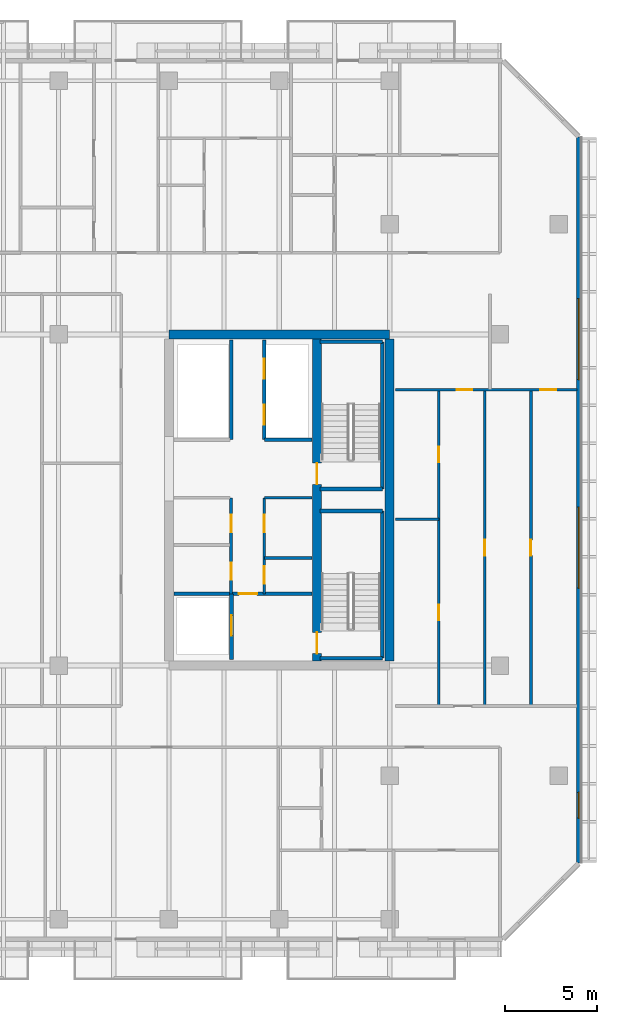
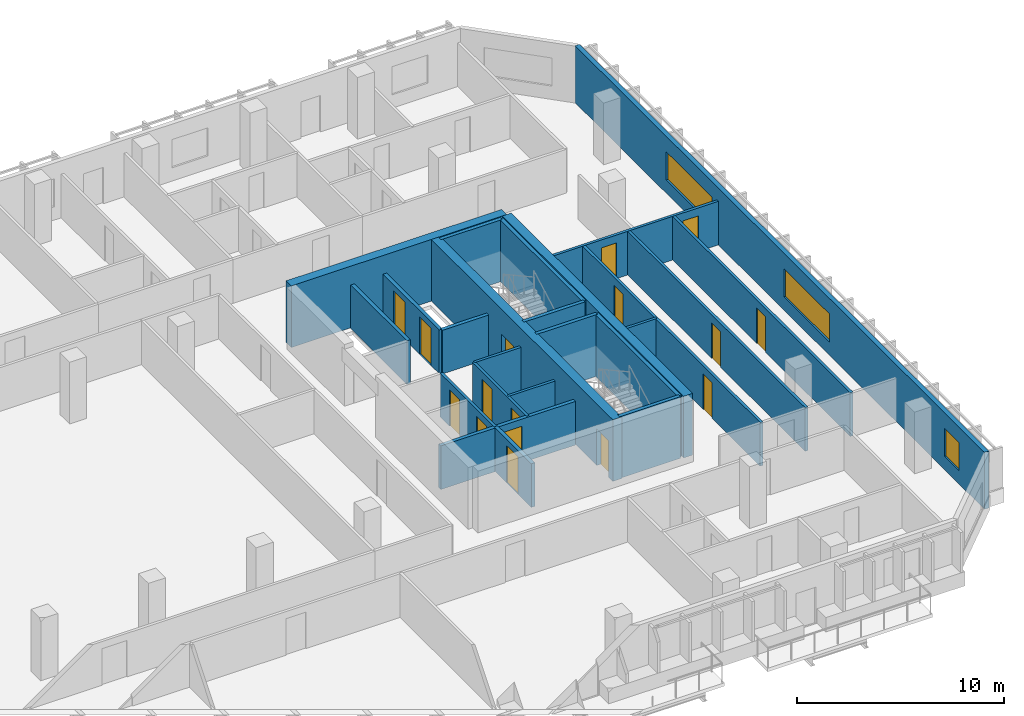
# One storey, part 15 of 23: 24 walls, 16 doors, 3 windows, 19 openings.
"""IFC4 building model written with IfcOpenShell, lengths in metres."""

from ifc_helpers import new_model, si_unit, direction, frame, frame_2d, origin, place, context, subcontext, project, spatial, rectangle, extrude, material, layer, layer_set, type_object, element, fill, save


model = new_model("IFC4")

# Units and contexts
model_context = context("Model", 3, precision=1e-05, world=origin(), true_north=direction((0.0, 1.0)))
body_context = subcontext(model_context, "Body", "Model", "MODEL_VIEW")
ifc_project = project(units=[si_unit("LENGTHUNIT", "METRE"), si_unit("AREAUNIT", "SQUARE_METRE"), si_unit("VOLUMEUNIT", "CUBIC_METRE"), si_unit("PLANEANGLEUNIT", "RADIAN"), si_unit("MASSUNIT", "GRAM", prefix="KILO")], contexts=[model_context])

# Site, building, storey
site_placement = place(None, origin())
site = spatial("IfcSite", under=ifc_project, at=site_placement, CompositionType="ELEMENT")
building_placement = place(site_placement, origin())
building = spatial("IfcBuilding", under=site, at=building_placement, Name="Tanjung Sevakor Pilgrim Tower", CompositionType="ELEMENT")
storey_placement = place(building_placement, frame((0.0, 0.0, 119.4599609375)))
storey = spatial("IfcBuildingStorey", under=building, at=storey_placement, Name="L33", CompositionType="ELEMENT", Elevation=119.4599609375)

# Walls
ifc_material_1 = material(Name="Concrete C60/75", Category="concrete")
ifc_layer_1 = layer(ifc_material_1, 0.5)
ifc_layer_set_1 = layer_set([ifc_layer_1], Name="WALL-CW-500")
wall_type_1 = type_object("IfcWallType", Name="WALL-CW-500", PredefinedType="SHEAR", material=ifc_layer_set_1)
wall_1_placement = place(storey_placement, frame((90.0, 42.60009765625, 0.0), z_axis=(0.0, 0.0, 1.0), x_axis=(-1.0, 0.0, 0.0)))
element("IfcWall", 1, at=wall_1_placement, inside=storey, type_object=wall_type_1, Name="L33 E Core North Shear Wall", PredefinedType="SHEAR", context=body_context, shape_type="SweptSolid", body=[
    extrude(rectangle(XDim=12.0, YDim=0.5, at=frame_2d((6.0, 0.0))), origin(), (0.0, 0.0, 1.0), 3.630126953125),
])
wall_2_placement = place(storey_placement, frame((90.0, 24.85009765625, 0.0), z_axis=(0.0, 0.0, 1.0), x_axis=(0.0, 1.0, 0.0)))
element("IfcWall", 2, at=wall_2_placement, inside=storey, type_object=wall_type_1, Name="L33 E Core Outer Shear Wall", PredefinedType="SHEAR", context=body_context, shape_type="SweptSolid", body=[
    extrude(rectangle(XDim=17.5, YDim=0.5, at=frame_2d((8.75, 0.0))), origin(), (0.0, 0.0, 1.0), 3.630126953125),
])

# Wall, openings, doors
wall_3_placement = place(storey_placement, frame((86.050048828125, 24.85009765625, 0.0), z_axis=(0.0, 0.0, 1.0), x_axis=(0.0, 1.0, 0.0)))
wall_3 = element("IfcWall", 3, at=wall_3_placement, inside=storey, type_object=wall_type_1, Name="L33 E Core Stair Spine Wall", PredefinedType="SHEAR", context=body_context, shape_type="SweptSolid", body=[
    extrude(rectangle(XDim=17.5, YDim=0.5, at=frame_2d((8.75, 0.0))), origin(), (0.0, 0.0, 1.0), 3.630126953125),
])
opening_1_placement = place(wall_3_placement, frame((0.39990234375, 0.0, 0.0)))
opening_1 = element("IfcOpeningElement", 4, at=opening_1_placement, cuts=wall_3, Name="Opening ID-ST1", PredefinedType="OPENING", context=body_context, shape_type="SweptSolid", body=[
    extrude(rectangle(XDim=1.14990234375, YDim=2.14990234375, at=frame_2d((0.574951171875, 1.074951171875))), frame((0.0, 0.260009765625, 0.0), z_axis=(0.0, -1.0, 0.0), x_axis=(1.0, 0.0, 0.0)), (0.0, 0.0, 1.0), 0.52001953125),
])
opening_2_placement = place(wall_3_placement, frame((9.60009765625, 0.0, 0.0)))
opening_2 = element("IfcOpeningElement", 5, at=opening_2_placement, cuts=wall_3, Name="Opening ID-ST1", PredefinedType="OPENING", context=body_context, shape_type="SweptSolid", body=[
    extrude(rectangle(XDim=1.14990234375, YDim=2.14990234375, at=frame_2d((0.574951171875, 1.074951171875))), frame((0.0, 0.260009765625, 0.0), z_axis=(0.0, -1.0, 0.0), x_axis=(1.0, 0.0, 0.0)), (0.0, 0.0, 1.0), 0.52001953125),
])
ifc_material_2 = material(Name="Fire-Rated Steel S355J2", Category="steel")
door_type_1 = type_object("IfcDoorType", Name="DT-FIRE-1150", OperationType="NOTDEFINED", PredefinedType="DOOR", material=ifc_material_2)
door_1_placement = place(opening_1_placement, origin())
door_1 = element("IfcDoor", 6, at=door_1_placement, inside=storey, type_object=door_type_1, Name="L33 TS-E1 Stair Fire Door", OperationType="SINGLE_SWING_RIGHT", OverallHeight=2.14990234375, OverallWidth=1.14990234375, PredefinedType="DOOR", context=body_context, shape_type="SweptSolid", body=[
    extrude(rectangle(XDim=1.14990234375, YDim=2.14990234375, at=frame_2d((0.574951171875, 1.074951171875))), frame((0.0, 0.02490234375, 0.0), z_axis=(0.0, -1.0, 0.0), x_axis=(1.0, 0.0, 0.0)), (0.0, 0.0, 1.0), 0.050048828125),
])
fill(opening_1, door_1)
door_2_placement = place(opening_2_placement, origin())
door_2 = element("IfcDoor", 7, at=door_2_placement, inside=storey, type_object=door_type_1, Name="L33 TS-E2 Stair Fire Door", OperationType="SINGLE_SWING_LEFT", OverallHeight=2.14990234375, OverallWidth=1.14990234375, PredefinedType="DOOR", context=body_context, shape_type="SweptSolid", body=[
    extrude(rectangle(XDim=1.14990234375, YDim=2.14990234375, at=frame_2d((0.574951171875, 1.074951171875))), frame((0.0, 0.02490234375, 0.0), z_axis=(0.0, -1.0, 0.0), x_axis=(1.0, 0.0, 0.0)), (0.0, 0.0, 1.0), 0.050048828125),
])
fill(opening_2, door_2)

# Walls
ifc_material_3 = material(Name="Concrete C40/50", Category="concrete")
ifc_layer_2 = layer(ifc_material_3, 0.14990234375)
ifc_layer_set_2 = layer_set([ifc_layer_2], Name="WT-COMP-150")
wall_type_2 = type_object("IfcWallType", Name="WT-COMP-150", PredefinedType="SOLIDWALL", material=ifc_layer_set_2)
for number, where, z_axis, x_axis, name in (
    (8, (83.199951171875, 30.449951171875, 0.0), (0.0, 0.0, 1.0), (1.0, 0.0, 0.0), "L33 Partition IW-L33-015"),
    (9, (83.199951171875, 33.719970703125, 0.0), (0.0, 0.0, 1.0), (1.0, 0.0, 0.0), "L33 Partition IW-L33-016"),
):
    element("IfcWall", number, at=place(storey_placement, frame(where, z_axis=z_axis, x_axis=x_axis)), inside=storey, type_object=wall_type_2, Name=name, PredefinedType="SOLIDWALL", context=body_context, shape_type="SweptSolid", body=[
        extrude(rectangle(XDim=2.580078125, YDim=0.14990234375, at=frame_2d((1.2900390625, 0.0))), origin(), (0.0, 0.0, 1.0), 2.570068359375),
    ])

# Wall, openings, doors
wall_4_placement = place(storey_placement, frame((83.179931640625, 28.5, 0.0), z_axis=(0.0, 0.0, 1.0), x_axis=(0.0, 1.0, 0.0)))
wall_4 = element("IfcWall", 10, at=wall_4_placement, inside=storey, type_object=wall_type_2, Name="L33 Partition IW-L33-017", PredefinedType="SOLIDWALL", context=body_context, shape_type="SweptSolid", body=[
    extrude(rectangle(XDim=5.219970703125, YDim=0.14990234375, at=frame_2d((2.60986328125, 0.0))), origin(), (0.0, 0.0, 1.0), 2.570068359375),
])
opening_3_placement = place(wall_4_placement, frame((0.550048828125, 0.0, 0.0)))
opening_3 = element("IfcOpeningElement", 11, at=opening_3_placement, cuts=wall_4, Name="Opening ID-FD2", PredefinedType="OPENING", context=body_context, shape_type="SweptSolid", body=[
    extrude(rectangle(XDim=0.949951171875, YDim=2.14990234375, at=frame_2d((0.47509765625, 1.074951171875))), frame((0.0, 0.0849609375, 0.0), z_axis=(0.0, -1.0, 0.0), x_axis=(1.0, 0.0, 0.0)), (0.0, 0.0, 1.0), 0.169921875),
])
opening_4_placement = place(wall_4_placement, frame((3.35009765625, 0.0, 0.0)))
opening_4 = element("IfcOpeningElement", 12, at=opening_4_placement, cuts=wall_4, Name="Opening ID-FD2", PredefinedType="OPENING", context=body_context, shape_type="SweptSolid", body=[
    extrude(rectangle(XDim=0.949951171875, YDim=2.14990234375, at=frame_2d((0.47509765625, 1.074951171875))), frame((0.0, 0.0849609375, 0.0), z_axis=(0.0, -1.0, 0.0), x_axis=(1.0, 0.0, 0.0)), (0.0, 0.0, 1.0), 0.169921875),
])
ifc_material_4 = material(Name="Fire-Rated Timber", Category="wood")
door_type_2 = type_object("IfcDoorType", Name="DT-FIRE-950", OperationType="NOTDEFINED", PredefinedType="DOOR", material=ifc_material_4)
door_3_placement = place(opening_3_placement, origin())
door_3 = element("IfcDoor", 13, at=door_3_placement, inside=storey, type_object=door_type_2, Name="L33 Cleaner Store Door", OperationType="SINGLE_SWING_LEFT", OverallHeight=2.14990234375, OverallWidth=0.949951171875, PredefinedType="DOOR", context=body_context, shape_type="SweptSolid", body=[
    extrude(rectangle(XDim=0.949951171875, YDim=2.14990234375, at=frame_2d((0.47509765625, 1.074951171875))), frame((0.0, 0.02490234375, 0.0), z_axis=(0.0, -1.0, 0.0), x_axis=(1.0, 0.0, 0.0)), (0.0, 0.0, 1.0), 0.050048828125),
])
fill(opening_3, door_3)
door_4_placement = place(opening_4_placement, origin())
door_4 = element("IfcDoor", 14, at=door_4_placement, inside=storey, type_object=door_type_2, Name="L33 Housekeeping Pantry Door", OperationType="SINGLE_SWING_RIGHT", OverallHeight=2.14990234375, OverallWidth=0.949951171875, PredefinedType="DOOR", context=body_context, shape_type="SweptSolid", body=[
    extrude(rectangle(XDim=0.949951171875, YDim=2.14990234375, at=frame_2d((0.47509765625, 1.074951171875))), frame((0.0, 0.02490234375, 0.0), z_axis=(0.0, -1.0, 0.0), x_axis=(1.0, 0.0, 0.0)), (0.0, 0.0, 1.0), 0.050048828125),
])
fill(opening_4, door_4)

wall_5_placement = place(storey_placement, frame((81.3798828125, 28.5, 0.0), z_axis=(0.0, 0.0, 1.0), x_axis=(0.0, 1.0, 0.0)))
wall_5 = element("IfcWall", 15, at=wall_5_placement, inside=storey, type_object=wall_type_2, Name="L33 Partition IW-L33-020", PredefinedType="SOLIDWALL", context=body_context, shape_type="SweptSolid", body=[
    extrude(rectangle(XDim=5.219970703125, YDim=0.14990234375, at=frame_2d((2.60986328125, 0.0))), origin(), (0.0, 0.0, 1.0), 2.570068359375),
])
opening_5_placement = place(wall_5_placement, frame((0.75, 0.0, 0.0)))
opening_5 = element("IfcOpeningElement", 16, at=opening_5_placement, cuts=wall_5, Name="Opening ID-FD2", PredefinedType="OPENING", context=body_context, shape_type="SweptSolid", body=[
    extrude(rectangle(XDim=0.949951171875, YDim=2.14990234375, at=frame_2d((0.47509765625, 1.074951171875))), frame((0.0, 0.0849609375, 0.0), z_axis=(0.0, -1.0, 0.0), x_axis=(1.0, 0.0, 0.0)), (0.0, 0.0, 1.0), 0.169921875),
])
opening_6_placement = place(wall_5_placement, frame((3.35009765625, 0.0, 0.0)))
opening_6 = element("IfcOpeningElement", 17, at=opening_6_placement, cuts=wall_5, Name="Opening ID-FD2", PredefinedType="OPENING", context=body_context, shape_type="SweptSolid", body=[
    extrude(rectangle(XDim=0.949951171875, YDim=2.14990234375, at=frame_2d((0.47509765625, 1.074951171875))), frame((0.0, 0.0849609375, 0.0), z_axis=(0.0, -1.0, 0.0), x_axis=(1.0, 0.0, 0.0)), (0.0, 0.0, 1.0), 0.169921875),
])
door_5_placement = place(opening_5_placement, origin())
door_5 = element("IfcDoor", 18, at=door_5_placement, inside=storey, type_object=door_type_2, Name="L33 Accessible WC Door", OperationType="SINGLE_SWING_LEFT", OverallHeight=2.14990234375, OverallWidth=0.949951171875, PredefinedType="DOOR", context=body_context, shape_type="SweptSolid", body=[
    extrude(rectangle(XDim=0.949951171875, YDim=2.14990234375, at=frame_2d((0.47509765625, 1.074951171875))), frame((0.0, 0.02490234375, 0.0), z_axis=(0.0, -1.0, 0.0), x_axis=(1.0, 0.0, 0.0)), (0.0, 0.0, 1.0), 0.050048828125),
])
fill(opening_5, door_5)
door_6_placement = place(opening_6_placement, origin())
door_6 = element("IfcDoor", 19, at=door_6_placement, inside=storey, type_object=door_type_2, Name="L33 Core Service Door", OperationType="SINGLE_SWING_RIGHT", OverallHeight=2.14990234375, OverallWidth=0.949951171875, PredefinedType="DOOR", context=body_context, shape_type="SweptSolid", body=[
    extrude(rectangle(XDim=0.949951171875, YDim=2.14990234375, at=frame_2d((0.47509765625, 1.074951171875))), frame((0.0, 0.02490234375, 0.0), z_axis=(0.0, -1.0, 0.0), x_axis=(1.0, 0.0, 0.0)), (0.0, 0.0, 1.0), 0.050048828125),
])
fill(opening_6, door_6)

# Wall, openings, windows
ifc_material_5 = material(Name="Precast concrete C45/55", Category="concrete")
ifc_layer_3 = layer(ifc_material_5, 0.25)
ifc_layer_set_3 = layer_set([ifc_layer_3], Name="WT-EW-STN3")
wall_type_3 = type_object("IfcWallType", Name="WT-EW-STN3", PredefinedType="SOLIDWALL", material=ifc_layer_set_3)
wall_6_placement = place(storey_placement, frame((100.27490234375, 13.851806640625, 0.0), z_axis=(0.0, 0.0, 1.0), x_axis=(0.0, 1.0, 0.0)))
wall_6 = element("IfcWall", 20, at=wall_6_placement, inside=storey, type_object=wall_type_3, Name="L33 MAIN Exterior Wall 7", PredefinedType="SOLIDWALL", context=body_context, shape_type="SweptSolid", body=[
    extrude(rectangle(XDim=39.496337890625, YDim=0.25, at=frame_2d((19.748046875, 0.0))), origin(), (0.0, 0.0, 1.0), 3.35009765625),
])
opening_7_placement = place(wall_6_placement, frame((14.958251953125, 0.0, 0.780029296875)))
opening_7 = element("IfcOpeningElement", 21, at=opening_7_placement, cuts=wall_6, Name="Opening WN-ENDW-1660", PredefinedType="OPENING", context=body_context, shape_type="SweptSolid", body=[
    extrude(rectangle(XDim=4.39990234375, YDim=1.659912109375, at=frame_2d((2.199951171875, 0.830078125))), frame((0.0, 0.135009765625, 0.0), z_axis=(0.0, -1.0, 0.0), x_axis=(1.0, 0.0, 0.0)), (0.0, 0.0, 1.0), 0.27001953125),
])
opening_8_placement = place(wall_6_placement, frame((26.298095703125, 0.0, 0.780029296875)))
opening_8 = element("IfcOpeningElement", 22, at=opening_8_placement, cuts=wall_6, Name="Opening WN-ENDW-1660", PredefinedType="OPENING", context=body_context, shape_type="SweptSolid", body=[
    extrude(rectangle(XDim=4.39990234375, YDim=1.659912109375, at=frame_2d((2.199951171875, 0.830078125))), frame((0.0, 0.135009765625, 0.0), z_axis=(0.0, -1.0, 0.0), x_axis=(1.0, 0.0, 0.0)), (0.0, 0.0, 1.0), 0.27001953125),
])
opening_9_placement = place(wall_6_placement, frame((2.4541015625, 0.0, 0.780029296875)))
opening_9 = element("IfcOpeningElement", 23, at=opening_9_placement, cuts=wall_6, Name="Opening WN-END", PredefinedType="OPENING", context=body_context, shape_type="SweptSolid", body=[
    extrude(rectangle(XDim=1.39990234375, YDim=1.64990234375, at=frame_2d((0.699951171875, 0.824951171875))), frame((0.0, 0.135009765625, 0.0), z_axis=(0.0, -1.0, 0.0), x_axis=(1.0, 0.0, 0.0)), (0.0, 0.0, 1.0), 0.27001953125),
])
ifc_material_6 = material(Name="Thermally Broken Aluminium and Low-E Glass", Category="aluminium")
window_type_1 = type_object("IfcWindowType", Name="WTYP-WN-END", PartitioningType="SINGLE_PANEL", PredefinedType="WINDOW", material=ifc_material_6)
window_1_placement = place(opening_9_placement, origin())
window_1 = element("IfcWindow", 24, at=window_1_placement, inside=storey, type_object=window_type_1, Name="L33 Facade Window 03", OverallHeight=1.64990234375, OverallWidth=1.39990234375, PartitioningType="SINGLE_PANEL", PredefinedType="WINDOW", context=body_context, shape_type="SweptSolid", body=[
    extrude(rectangle(XDim=1.39990234375, YDim=1.64990234375, at=frame_2d((0.699951171875, 0.824951171875))), frame((0.0, 0.030029296875, 0.0), z_axis=(0.0, -1.0, 0.0), x_axis=(1.0, 0.0, 0.0)), (0.0, 0.0, 1.0), 0.06005859375),
])
fill(opening_9, window_1)
ifc_material_7 = material(Name="Thermally Broken Aluminium and Low-E Glass", Category="aluminium")
window_type_2 = type_object("IfcWindowType", Name="WTYP-WN-ENDW-1660", PartitioningType="DOUBLE_PANEL_VERTICAL", PredefinedType="WINDOW", material=ifc_material_7)
window_2_placement = place(opening_7_placement, origin())
window_2 = element("IfcWindow", 25, at=window_2_placement, inside=storey, type_object=window_type_2, Name="L33 Facade Window 01", OverallHeight=1.659912109375, OverallWidth=4.39990234375, PartitioningType="SINGLE_PANEL", PredefinedType="WINDOW", context=body_context, shape_type="SweptSolid", body=[
    extrude(rectangle(XDim=4.39990234375, YDim=1.659912109375, at=frame_2d((2.199951171875, 0.830078125))), frame((0.0, 0.030029296875, 0.0), z_axis=(0.0, -1.0, 0.0), x_axis=(1.0, 0.0, 0.0)), (0.0, 0.0, 1.0), 0.06005859375),
])
fill(opening_7, window_2)
window_3_placement = place(opening_8_placement, origin())
window_3 = element("IfcWindow", 26, at=window_3_placement, inside=storey, type_object=window_type_2, Name="L33 Facade Window 02", OverallHeight=1.659912109375, OverallWidth=4.39990234375, PartitioningType="SINGLE_PANEL", PredefinedType="WINDOW", context=body_context, shape_type="SweptSolid", body=[
    extrude(rectangle(XDim=4.39990234375, YDim=1.659912109375, at=frame_2d((2.199951171875, 0.830078125))), frame((0.0, 0.030029296875, 0.0), z_axis=(0.0, -1.0, 0.0), x_axis=(1.0, 0.0, 0.0)), (0.0, 0.0, 1.0), 0.06005859375),
])
fill(opening_8, window_3)

# Walls
ifc_material_8 = material(Name="Concrete C40/50", Category="concrete")
ifc_layer_4 = layer(ifc_material_8, 0.199951171875)
ifc_layer_set_4 = layer_set([ifc_layer_4], Name="WT-FIRE-200")
wall_type_4 = type_object("IfcWallType", Name="WT-FIRE-200", PredefinedType="SOLIDWALL", material=ifc_layer_set_4)
wall_7_placement = place(storey_placement, frame((86.199951171875, 25.0, 0.0), z_axis=(0.0, 0.0, 1.0), x_axis=(1.0, 0.0, 0.0)))
element("IfcWall", 27, at=wall_7_placement, inside=storey, type_object=wall_type_4, Name="L33 TS-E1 Shaft Wall 1", PredefinedType="SOLIDWALL", context=body_context, shape_type="SweptSolid", body=[
    extrude(rectangle(XDim=3.400146484375, YDim=0.199951171875, at=frame_2d((1.7001953125, 0.0))), origin(), (0.0, 0.0, 1.0), 3.630126953125),
])
wall_8_placement = place(storey_placement, frame((89.60009765625, 25.0, 0.0), z_axis=(0.0, 0.0, 1.0), x_axis=(0.0, 1.0, 0.0)))
element("IfcWall", 28, at=wall_8_placement, inside=storey, type_object=wall_type_4, Name="L33 TS-E1 Shaft Wall 2", PredefinedType="SOLIDWALL", context=body_context, shape_type="SweptSolid", body=[
    extrude(rectangle(XDim=8.0, YDim=0.199951171875, at=frame_2d((4.0, 0.0))), origin(), (0.0, 0.0, 1.0), 3.630126953125),
])
for number, where, z_axis, x_axis, name in (
    (29, (89.60009765625, 33.0, 0.0), (0.0, 0.0, 1.0), (-1.0, 0.0, 0.0), "L33 TS-E1 Shaft Wall 3"),
    (30, (86.199951171875, 34.199951171875, 0.0), (0.0, 0.0, 1.0), (1.0, 0.0, 0.0), "L33 TS-E2 Shaft Wall 1"),
):
    element("IfcWall", number, at=place(storey_placement, frame(where, z_axis=z_axis, x_axis=x_axis)), inside=storey, type_object=wall_type_4, Name=name, PredefinedType="SOLIDWALL", context=body_context, shape_type="SweptSolid", body=[
        extrude(rectangle(XDim=3.400146484375, YDim=0.199951171875, at=frame_2d((1.7001953125, 0.0))), origin(), (0.0, 0.0, 1.0), 3.630126953125),
    ])
wall_9_placement = place(storey_placement, frame((89.60009765625, 34.199951171875, 0.0), z_axis=(0.0, 0.0, 1.0), x_axis=(0.0, 1.0, 0.0)))
element("IfcWall", 31, at=wall_9_placement, inside=storey, type_object=wall_type_4, Name="L33 TS-E2 Shaft Wall 2", PredefinedType="SOLIDWALL", context=body_context, shape_type="SweptSolid", body=[
    extrude(rectangle(XDim=8.0, YDim=0.199951171875, at=frame_2d((4.0, 0.0))), origin(), (0.0, 0.0, 1.0), 3.630126953125),
])
wall_10_placement = place(storey_placement, frame((89.60009765625, 42.199951171875, 0.0), z_axis=(0.0, 0.0, 1.0), x_axis=(-1.0, 0.0, 0.0)))
element("IfcWall", 32, at=wall_10_placement, inside=storey, type_object=wall_type_4, Name="L33 TS-E2 Shaft Wall 3", PredefinedType="SOLIDWALL", context=body_context, shape_type="SweptSolid", body=[
    extrude(rectangle(XDim=3.400146484375, YDim=0.199951171875, at=frame_2d((1.7001953125, 0.0))), origin(), (0.0, 0.0, 1.0), 3.630126953125),
])

# Wall, opening, door
ifc_material_9 = material(Name="Concrete C40/50", Category="concrete")
ifc_layer_5 = layer(ifc_material_9, 0.199951171875)
ifc_layer_set_5 = layer_set([ifc_layer_5], Name="WT-FPRT-200")
wall_type_5 = type_object("IfcWallType", Name="WT-FPRT-200", PredefinedType="SOLIDWALL", material=ifc_layer_set_5)
wall_11_placement = place(storey_placement, frame((81.39990234375, 24.919921875, 0.0), z_axis=(0.0, 0.0, 1.0), x_axis=(0.0, 1.0, 0.0)))
wall_11 = element("IfcWall", 33, at=wall_11_placement, inside=storey, type_object=wall_type_5, Name="L33 Partition IW-L33-013", PredefinedType="SOLIDWALL", context=body_context, shape_type="SweptSolid", body=[
    extrude(rectangle(XDim=3.580078125, YDim=0.199951171875, at=frame_2d((1.7900390625, 0.0))), origin(), (0.0, 0.0, 1.0), 2.570068359375),
])
opening_10_placement = place(wall_11_placement, frame((1.300048828125, 0.0, 0.0)))
opening_10 = element("IfcOpeningElement", 34, at=opening_10_placement, cuts=wall_11, Name="Opening LD-1100", PredefinedType="OPENING", context=body_context, shape_type="SweptSolid", body=[
    extrude(rectangle(XDim=1.10009765625, YDim=2.199951171875, at=frame_2d((0.550048828125, 1.10009765625))), frame((0.0, 0.10986328125, 0.0), z_axis=(0.0, -1.0, 0.0), x_axis=(1.0, 0.0, 0.0)), (0.0, 0.0, 1.0), 0.219970703125),
])
ifc_material_10 = material(Name="Brushed Stainless Steel S355J2", Category="steel")
door_type_3 = type_object("IfcDoorType", Name="DT-LIFT-1100", OperationType="SLIDING_TO_LEFT", PredefinedType="DOOR", material=ifc_material_10)
door_7_placement = place(opening_10_placement, origin())
door_7 = element("IfcDoor", 35, at=door_7_placement, inside=storey, type_object=door_type_3, Name="LD-FL-E", OperationType="SLIDING_TO_LEFT", OverallHeight=2.199951171875, OverallWidth=1.10009765625, PredefinedType="DOOR", context=body_context, shape_type="SweptSolid", body=[
    extrude(rectangle(XDim=1.10009765625, YDim=2.199951171875, at=frame_2d((0.550048828125, 1.10009765625))), frame((0.0, 0.02490234375, 0.0), z_axis=(0.0, -1.0, 0.0), x_axis=(1.0, 0.0, 0.0)), (0.0, 0.0, 1.0), 0.050048828125),
])
fill(opening_10, door_7)

wall_12_placement = place(storey_placement, frame((78.27001953125, 28.5, 0.0), z_axis=(0.0, 0.0, 1.0), x_axis=(1.0, 0.0, 0.0)))
wall_12 = element("IfcWall", 36, at=wall_12_placement, inside=storey, type_object=wall_type_5, Name="L33 Partition IW-L33-014", PredefinedType="SOLIDWALL", context=body_context, shape_type="SweptSolid", body=[
    extrude(rectangle(XDim=7.510009765625, YDim=0.199951171875, at=frame_2d((3.7548828125, 0.0))), origin(), (0.0, 0.0, 1.0), 2.570068359375),
])
opening_11_placement = place(wall_12_placement, frame((3.530029296875, 0.0, 0.0)))
opening_11 = element("IfcOpeningElement", 37, at=opening_11_placement, cuts=wall_12, Name="Opening ID-FD1", PredefinedType="OPENING", context=body_context, shape_type="SweptSolid", body=[
    extrude(rectangle(XDim=1.0, YDim=2.14990234375, at=frame_2d((0.5, 1.074951171875))), frame((0.0, 0.10986328125, 0.0), z_axis=(0.0, -1.0, 0.0), x_axis=(1.0, 0.0, 0.0)), (0.0, 0.0, 1.0), 0.219970703125),
])
ifc_material_11 = material(Name="Fire-Rated Steel S355J2", Category="steel")
door_type_4 = type_object("IfcDoorType", Name="DT-FIRE-1000", OperationType="NOTDEFINED", PredefinedType="DOOR", material=ifc_material_11)
door_8_placement = place(opening_11_placement, origin())
door_8 = element("IfcDoor", 38, at=door_8_placement, inside=storey, type_object=door_type_4, Name="Fire Lobby Door E", OperationType="SINGLE_SWING_RIGHT", OverallHeight=2.14990234375, OverallWidth=1.0, PredefinedType="DOOR", context=body_context, shape_type="SweptSolid", body=[
    extrude(rectangle(XDim=1.0, YDim=2.14990234375, at=frame_2d((0.5, 1.074951171875))), frame((0.0, 0.02490234375, 0.0), z_axis=(0.0, -1.0, 0.0), x_axis=(1.0, 0.0, 0.0)), (0.0, 0.0, 1.0), 0.050048828125),
])
fill(opening_11, door_8)

# Wall
wall_13_placement = place(storey_placement, frame((83.199951171875, 36.8798828125, 0.0), z_axis=(0.0, 0.0, 1.0), x_axis=(1.0, 0.0, 0.0)))
element("IfcWall", 39, at=wall_13_placement, inside=storey, type_object=wall_type_5, Name="L33 Partition IW-L33-021", PredefinedType="SOLIDWALL", context=body_context, shape_type="SweptSolid", body=[
    extrude(rectangle(XDim=2.580078125, YDim=0.199951171875, at=frame_2d((1.2900390625, 0.0))), origin(), (0.0, 0.0, 1.0), 2.570068359375),
])

# Wall, openings, doors
wall_14_placement = place(storey_placement, frame((83.179931640625, 36.8798828125, 0.0), z_axis=(0.0, 0.0, 1.0), x_axis=(0.0, 1.0, 0.0)))
wall_14 = element("IfcWall", 40, at=wall_14_placement, inside=storey, type_object=wall_type_5, Name="L33 Partition IW-L33-022", PredefinedType="SOLIDWALL", context=body_context, shape_type="SweptSolid", body=[
    extrude(rectangle(XDim=5.420166015625, YDim=0.199951171875, at=frame_2d((2.7099609375, 0.0))), origin(), (0.0, 0.0, 1.0), 2.570068359375),
])
opening_12_placement = place(wall_14_placement, frame((0.800048828125, 0.0, 0.0)))
opening_12 = element("IfcOpeningElement", 41, at=opening_12_placement, cuts=wall_14, Name="Opening LD-1100", PredefinedType="OPENING", context=body_context, shape_type="SweptSolid", body=[
    extrude(rectangle(XDim=1.10009765625, YDim=2.199951171875, at=frame_2d((0.550048828125, 1.10009765625))), frame((0.0, 0.10986328125, 0.0), z_axis=(0.0, -1.0, 0.0), x_axis=(1.0, 0.0, 0.0)), (0.0, 0.0, 1.0), 0.219970703125),
])
opening_13_placement = place(wall_14_placement, frame((3.300048828125, 0.0, 0.0)))
opening_13 = element("IfcOpeningElement", 42, at=opening_13_placement, cuts=wall_14, Name="Opening LD-1100", PredefinedType="OPENING", context=body_context, shape_type="SweptSolid", body=[
    extrude(rectangle(XDim=1.10009765625, YDim=2.199951171875, at=frame_2d((0.550048828125, 1.10009765625))), frame((0.0, 0.10986328125, 0.0), z_axis=(0.0, -1.0, 0.0), x_axis=(1.0, 0.0, 0.0)), (0.0, 0.0, 1.0), 0.219970703125),
])
door_9_placement = place(opening_12_placement, origin())
door_9 = element("IfcDoor", 43, at=door_9_placement, inside=storey, type_object=door_type_3, Name="LD-PLM1-E", OperationType="SLIDING_TO_LEFT", OverallHeight=2.199951171875, OverallWidth=1.10009765625, PredefinedType="DOOR", context=body_context, shape_type="SweptSolid", body=[
    extrude(rectangle(XDim=1.10009765625, YDim=2.199951171875, at=frame_2d((0.550048828125, 1.10009765625))), frame((0.0, 0.02490234375, 0.0), z_axis=(0.0, -1.0, 0.0), x_axis=(1.0, 0.0, 0.0)), (0.0, 0.0, 1.0), 0.050048828125),
])
fill(opening_12, door_9)
door_10_placement = place(opening_13_placement, origin())
door_10 = element("IfcDoor", 44, at=door_10_placement, inside=storey, type_object=door_type_3, Name="LD-PLM2-E", OperationType="SLIDING_TO_RIGHT", OverallHeight=2.199951171875, OverallWidth=1.10009765625, PredefinedType="DOOR", context=body_context, shape_type="SweptSolid", body=[
    extrude(rectangle(XDim=1.10009765625, YDim=2.199951171875, at=frame_2d((0.550048828125, 1.10009765625))), frame((0.0, 0.02490234375, 0.0), z_axis=(0.0, -1.0, 0.0), x_axis=(1.0, 0.0, 0.0)), (0.0, 0.0, 1.0), 0.050048828125),
])
fill(opening_13, door_10)

# Wall
wall_15_placement = place(storey_placement, frame((81.3798828125, 36.8798828125, 0.0), z_axis=(0.0, 0.0, 1.0), x_axis=(0.0, 1.0, 0.0)))
element("IfcWall", 45, at=wall_15_placement, inside=storey, type_object=wall_type_5, Name="L33 Partition IW-L33-024", PredefinedType="SOLIDWALL", context=body_context, shape_type="SweptSolid", body=[
    extrude(rectangle(XDim=5.420166015625, YDim=0.199951171875, at=frame_2d((2.7099609375, 0.0))), origin(), (0.0, 0.0, 1.0), 2.570068359375),
])

# Wall, opening, door
ifc_material_12 = material(Name="Gypsum Board Partition", Category="gypsum board")
ifc_layer_6 = layer(ifc_material_12, 0.14990234375)
ifc_layer_set_6 = layer_set([ifc_layer_6], Name="WT-PART-150")
wall_type_6 = type_object("IfcWallType", Name="WT-PART-150", PredefinedType="PARTITIONING", material=ifc_layer_set_6)
wall_16_placement = place(storey_placement, frame((95.1767578125, 22.39990234375, 0.0), z_axis=(0.0, 0.0, 1.0), x_axis=(0.0, 1.0, 0.0)))
wall_16 = element("IfcWall", 46, at=wall_16_placement, inside=storey, type_object=wall_type_6, Name="L33 Partition IW-L33-040", PredefinedType="PARTITIONING", context=body_context, shape_type="SweptSolid", body=[
    extrude(rectangle(XDim=17.2001953125, YDim=0.14990234375, at=frame_2d((8.60009765625, 0.0))), origin(), (0.0, 0.0, 1.0), 2.570068359375),
])
opening_14_placement = place(wall_16_placement, frame((8.175048828125, 0.0, 0.0)))
opening_14 = element("IfcOpeningElement", 47, at=opening_14_placement, cuts=wall_16, Name="Opening ID-WC1", PredefinedType="OPENING", context=body_context, shape_type="SweptSolid", body=[
    extrude(rectangle(XDim=0.85009765625, YDim=2.10009765625, at=frame_2d((0.425048828125, 1.050048828125))), frame((0.0, 0.0849609375, 0.0), z_axis=(0.0, -1.0, 0.0), x_axis=(1.0, 0.0, 0.0)), (0.0, 0.0, 1.0), 0.169921875),
])
ifc_material_13 = material(Name="Moisture-Resistant Timber", Category="wood")
door_type_5 = type_object("IfcDoorType", Name="DT-INT-850", OperationType="NOTDEFINED", PredefinedType="DOOR", material=ifc_material_13)
door_11_placement = place(opening_14_placement, origin())
door_11 = element("IfcDoor", 48, at=door_11_placement, inside=storey, type_object=door_type_5, Name="Suite Study Room Door", OperationType="SINGLE_SWING_LEFT", OverallHeight=2.10009765625, OverallWidth=0.85009765625, PredefinedType="DOOR", context=body_context, shape_type="SweptSolid", body=[
    extrude(rectangle(XDim=0.85009765625, YDim=2.10009765625, at=frame_2d((0.425048828125, 1.050048828125))), frame((0.0, 0.02490234375, 0.0), z_axis=(0.0, -1.0, 0.0), x_axis=(1.0, 0.0, 0.0)), (0.0, 0.0, 1.0), 0.050048828125),
])
fill(opening_14, door_11)

wall_17_placement = place(storey_placement, frame((97.683349609375, 22.39990234375, 0.0), z_axis=(0.0, 0.0, 1.0), x_axis=(0.0, 1.0, 0.0)))
wall_17 = element("IfcWall", 49, at=wall_17_placement, inside=storey, type_object=wall_type_6, Name="L33 Partition IW-L33-041", PredefinedType="PARTITIONING", context=body_context, shape_type="SweptSolid", body=[
    extrude(rectangle(XDim=17.2001953125, YDim=0.14990234375, at=frame_2d((8.60009765625, 0.0))), origin(), (0.0, 0.0, 1.0), 2.570068359375),
])
opening_15_placement = place(wall_17_placement, frame((8.175048828125, 0.0, 0.0)))
opening_15 = element("IfcOpeningElement", 50, at=opening_15_placement, cuts=wall_17, Name="Opening ID-WC1", PredefinedType="OPENING", context=body_context, shape_type="SweptSolid", body=[
    extrude(rectangle(XDim=0.85009765625, YDim=2.10009765625, at=frame_2d((0.425048828125, 1.050048828125))), frame((0.0, 0.0849609375, 0.0), z_axis=(0.0, -1.0, 0.0), x_axis=(1.0, 0.0, 0.0)), (0.0, 0.0, 1.0), 0.169921875),
])
door_12_placement = place(opening_15_placement, origin())
door_12 = element("IfcDoor", 51, at=door_12_placement, inside=storey, type_object=door_type_5, Name="Suite Reading Room Door", OperationType="SINGLE_SWING_RIGHT", OverallHeight=2.10009765625, OverallWidth=0.85009765625, PredefinedType="DOOR", context=body_context, shape_type="SweptSolid", body=[
    extrude(rectangle(XDim=0.85009765625, YDim=2.10009765625, at=frame_2d((0.425048828125, 1.050048828125))), frame((0.0, 0.02490234375, 0.0), z_axis=(0.0, -1.0, 0.0), x_axis=(1.0, 0.0, 0.0)), (0.0, 0.0, 1.0), 0.050048828125),
])
fill(opening_15, door_12)

# Wall
wall_18_placement = place(storey_placement, frame((90.320068359375, 32.548095703125, 0.0), z_axis=(0.0, 0.0, 1.0), x_axis=(1.0, 0.0, 0.0)))
element("IfcWall", 52, at=wall_18_placement, inside=storey, type_object=wall_type_6, Name="L33 Partition IW-L33-042", PredefinedType="PARTITIONING", context=body_context, shape_type="SweptSolid", body=[
    extrude(rectangle(XDim=2.349853515625, YDim=0.14990234375, at=frame_2d((1.1748046875, 0.0))), origin(), (0.0, 0.0, 1.0), 2.570068359375),
])

# Wall, openings, doors
wall_19_placement = place(storey_placement, frame((92.669921875, 22.39990234375, 0.0), z_axis=(0.0, 0.0, 1.0), x_axis=(0.0, 1.0, 0.0)))
wall_19 = element("IfcWall", 53, at=wall_19_placement, inside=storey, type_object=wall_type_6, Name="L33 Partition IW-L33-043", PredefinedType="PARTITIONING", context=body_context, shape_type="SweptSolid", body=[
    extrude(rectangle(XDim=17.2001953125, YDim=0.14990234375, at=frame_2d((8.60009765625, 0.0))), origin(), (0.0, 0.0, 1.0), 2.570068359375),
])
opening_16_placement = place(wall_19_placement, frame((4.64892578125, 0.0, 0.0)))
opening_16 = element("IfcOpeningElement", 54, at=opening_16_placement, cuts=wall_19, Name="Opening ID-WC1", PredefinedType="OPENING", context=body_context, shape_type="SweptSolid", body=[
    extrude(rectangle(XDim=0.85009765625, YDim=2.10009765625, at=frame_2d((0.425048828125, 1.050048828125))), frame((0.0, 0.0849609375, 0.0), z_axis=(0.0, -1.0, 0.0), x_axis=(1.0, 0.0, 0.0)), (0.0, 0.0, 1.0), 0.169921875),
])
opening_17_placement = place(wall_19_placement, frame((13.2490234375, 0.0, 0.0)))
opening_17 = element("IfcOpeningElement", 55, at=opening_17_placement, cuts=wall_19, Name="Opening ID-WC1", PredefinedType="OPENING", context=body_context, shape_type="SweptSolid", body=[
    extrude(rectangle(XDim=0.85009765625, YDim=2.10009765625, at=frame_2d((0.425048828125, 1.050048828125))), frame((0.0, 0.0849609375, 0.0), z_axis=(0.0, -1.0, 0.0), x_axis=(1.0, 0.0, 0.0)), (0.0, 0.0, 1.0), 0.169921875),
])
door_13_placement = place(opening_16_placement, origin())
door_13 = element("IfcDoor", 56, at=door_13_placement, inside=storey, type_object=door_type_5, Name="Suite Kitchenette Door", OperationType="SINGLE_SWING_LEFT", OverallHeight=2.10009765625, OverallWidth=0.85009765625, PredefinedType="DOOR", context=body_context, shape_type="SweptSolid", body=[
    extrude(rectangle(XDim=0.85009765625, YDim=2.10009765625, at=frame_2d((0.425048828125, 1.050048828125))), frame((0.0, 0.02490234375, 0.0), z_axis=(0.0, -1.0, 0.0), x_axis=(1.0, 0.0, 0.0)), (0.0, 0.0, 1.0), 0.050048828125),
])
fill(opening_16, door_13)
door_14_placement = place(opening_17_placement, origin())
door_14 = element("IfcDoor", 57, at=door_14_placement, inside=storey, type_object=door_type_5, Name="Suite Bathroom Door", OperationType="SINGLE_SWING_RIGHT", OverallHeight=2.10009765625, OverallWidth=0.85009765625, PredefinedType="DOOR", context=body_context, shape_type="SweptSolid", body=[
    extrude(rectangle(XDim=0.85009765625, YDim=2.10009765625, at=frame_2d((0.425048828125, 1.050048828125))), frame((0.0, 0.02490234375, 0.0), z_axis=(0.0, -1.0, 0.0), x_axis=(1.0, 0.0, 0.0)), (0.0, 0.0, 1.0), 0.050048828125),
])
fill(opening_17, door_14)

wall_20_placement = place(storey_placement, frame((90.320068359375, 39.60009765625, 0.0), z_axis=(0.0, 0.0, 1.0), x_axis=(1.0, 0.0, 0.0)))
wall_20 = element("IfcWall", 58, at=wall_20_placement, inside=storey, type_object=wall_type_6, Name="L33 Partition IW-L33-045", PredefinedType="PARTITIONING", context=body_context, shape_type="SweptSolid", body=[
    extrude(rectangle(XDim=9.869873046875, YDim=0.14990234375, at=frame_2d((4.93505859375, 0.0))), origin(), (0.0, 0.0, 1.0), 2.570068359375),
])
opening_18_placement = place(wall_20_placement, frame((3.316162109375, 0.0, 0.0)))
opening_18 = element("IfcOpeningElement", 59, at=opening_18_placement, cuts=wall_20, Name="Opening ID-WC1", PredefinedType="OPENING", context=body_context, shape_type="SweptSolid", body=[
    extrude(rectangle(XDim=0.85009765625, YDim=2.10009765625, at=frame_2d((0.425048828125, 1.050048828125))), frame((0.0, 0.0849609375, 0.0), z_axis=(0.0, -1.0, 0.0), x_axis=(1.0, 0.0, 0.0)), (0.0, 0.0, 1.0), 0.169921875),
])
opening_19_placement = place(wall_20_placement, frame((7.876220703125, 0.0, 0.0)))
opening_19 = element("IfcOpeningElement", 60, at=opening_19_placement, cuts=wall_20, Name="Opening ID-WC1", PredefinedType="OPENING", context=body_context, shape_type="SweptSolid", body=[
    extrude(rectangle(XDim=0.85009765625, YDim=2.10009765625, at=frame_2d((0.425048828125, 1.050048828125))), frame((0.0, 0.0849609375, 0.0), z_axis=(0.0, -1.0, 0.0), x_axis=(1.0, 0.0, 0.0)), (0.0, 0.0, 1.0), 0.169921875),
])
door_15_placement = place(opening_18_placement, origin())
door_15 = element("IfcDoor", 61, at=door_15_placement, inside=storey, type_object=door_type_5, Name="Suite Bedroom 1 Door", OperationType="SINGLE_SWING_LEFT", OverallHeight=2.10009765625, OverallWidth=0.85009765625, PredefinedType="DOOR", context=body_context, shape_type="SweptSolid", body=[
    extrude(rectangle(XDim=0.85009765625, YDim=2.10009765625, at=frame_2d((0.425048828125, 1.050048828125))), frame((0.0, 0.02490234375, 0.0), z_axis=(0.0, -1.0, 0.0), x_axis=(1.0, 0.0, 0.0)), (0.0, 0.0, 1.0), 0.050048828125),
])
fill(opening_18, door_15)
door_16_placement = place(opening_19_placement, origin())
door_16 = element("IfcDoor", 62, at=door_16_placement, inside=storey, type_object=door_type_5, Name="Suite Bedroom 2 Door", OperationType="SINGLE_SWING_RIGHT", OverallHeight=2.10009765625, OverallWidth=0.85009765625, PredefinedType="DOOR", context=body_context, shape_type="SweptSolid", body=[
    extrude(rectangle(XDim=0.85009765625, YDim=2.10009765625, at=frame_2d((0.425048828125, 1.050048828125))), frame((0.0, 0.02490234375, 0.0), z_axis=(0.0, -1.0, 0.0), x_axis=(1.0, 0.0, 0.0)), (0.0, 0.0, 1.0), 0.050048828125),
])
fill(opening_19, door_16)

save(model, "model.ifc")
